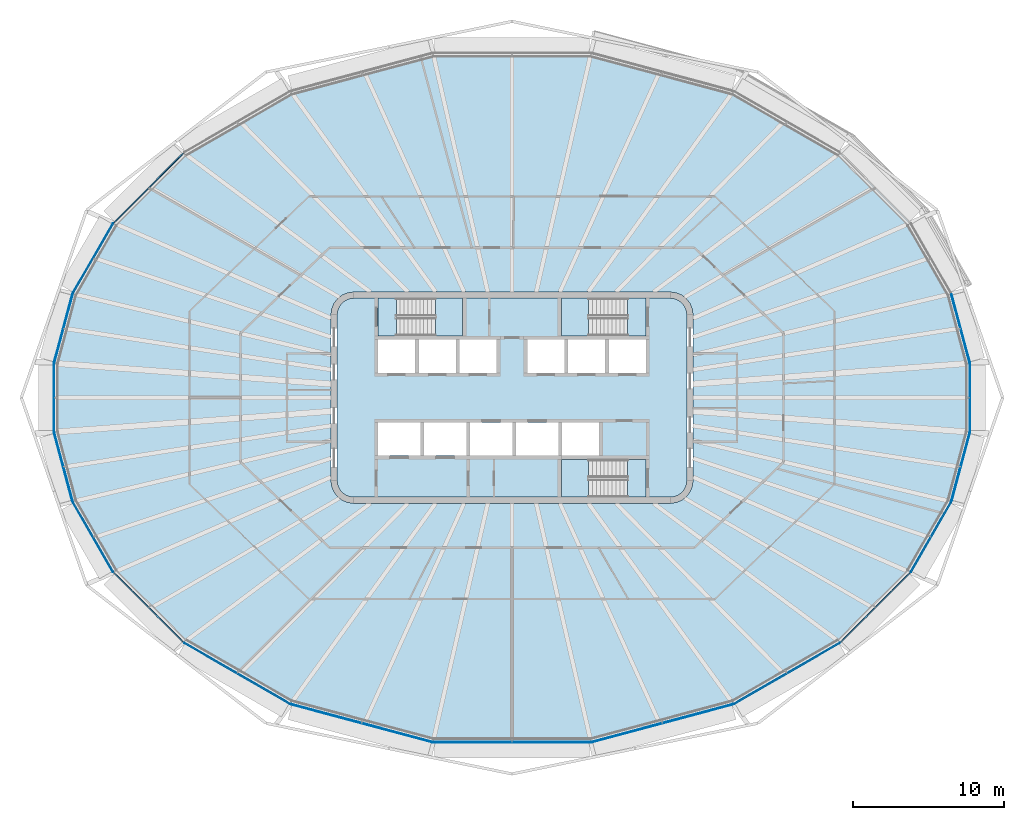
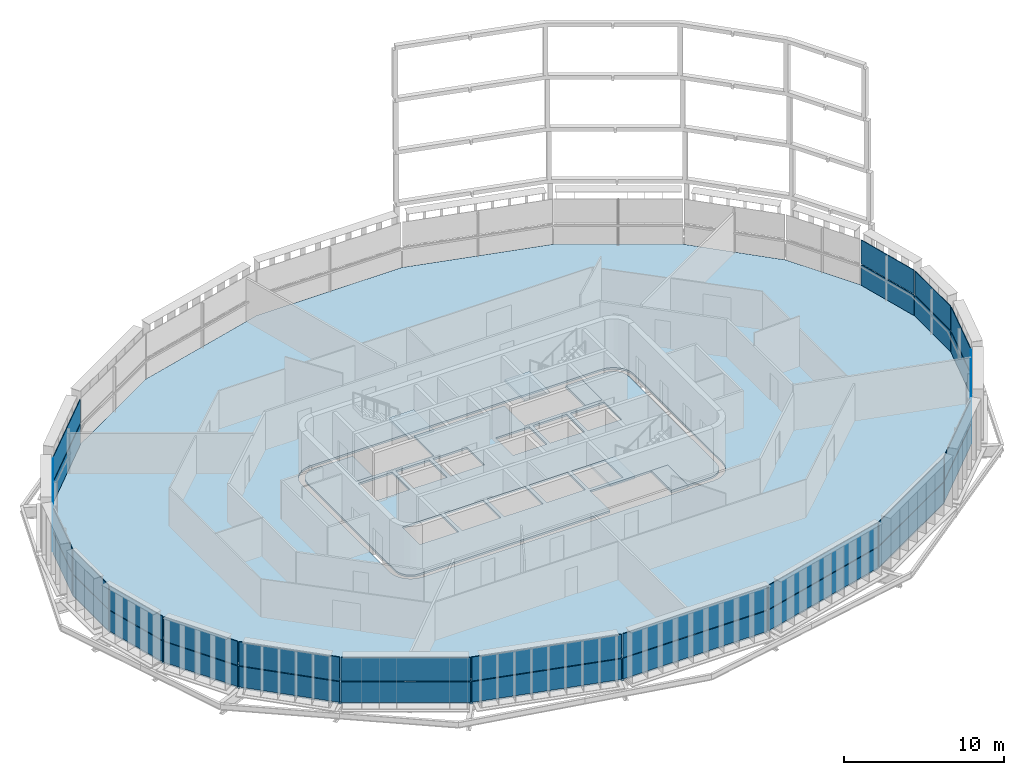
# One storey, part 9 of 20: 34 plates, 8 slabs, 20 elements without a shape of their own.
"""IFC4 building model written with IfcOpenShell, lengths in metres."""

from ifc_helpers import new_model, si_unit, direction, frame, origin, place, context, subcontext, project, spatial, polyline, outline, extrude, material, layer, layer_set, type_object, element, aggregate, save


model = new_model("IFC4")

# Units and contexts
model_context = context("Model", 3, precision=1e-05, world=origin(), true_north=direction((0.0, 1.0)))
body_context = subcontext(model_context, "Body", "Model", "MODEL_VIEW")
ifc_project = project(units=[si_unit("LENGTHUNIT", "METRE"), si_unit("AREAUNIT", "SQUARE_METRE"), si_unit("VOLUMEUNIT", "CUBIC_METRE"), si_unit("PLANEANGLEUNIT", "RADIAN"), si_unit("MASSUNIT", "GRAM", prefix="KILO")], contexts=[model_context])

# Site, building, storey
site_placement = place(None, origin())
site = spatial("IfcSite", under=ifc_project, at=site_placement, CompositionType="ELEMENT")
building_placement = place(site_placement, origin())
building = spatial("IfcBuilding", under=site, at=building_placement, Name="Sahrelin Media Tower", CompositionType="ELEMENT")
storey_placement = place(building_placement, frame((0.0, 0.0, 255.0)))
storey = spatial("IfcBuildingStorey", under=building, at=storey_placement, Name="L55", CompositionType="ELEMENT", Elevation=255.0)

# Slabs
ifc_material_1 = material(Name="Concrete C40/50", Category="concrete")
ifc_layer_1 = layer(ifc_material_1, 0.14990234375)
ifc_layer_set_1 = layer_set([ifc_layer_1], Name="Composite floor slab 150")
slab_type_1 = type_object("IfcSlabType", Name="Composite floor slab 150", PredefinedType="FLOOR", material=ifc_layer_set_1)
placement_1 = place(storey_placement, frame((0.0, 0.0, -0.14990234375)))
element("IfcSlab", 1, at=placement_1, inside=storey, type_object=slab_type_1, Name="Floor slab L55", PredefinedType="FLOOR", context=body_context, shape_type="SweptSolid", body=[
    extrude(outline(polyline([(30.35693359375, -2.280517578125), (30.35693359375, 2.280517578125), (29.122802734375, 6.886474609375), (26.41259765625, 11.58056640625), (21.763916015625, 16.22900390625), (14.6845703125, 20.31640625), (5.24267578125, 22.84619140625), (-5.24267578125, 22.84619140625), (-14.6845703125, 20.31640625), (-21.763916015625, 16.22900390625), (-26.41259765625, 11.58056640625), (-29.122802734375, 6.886474609375), (-30.35693359375, 2.280517578125), (-30.35693359375, -2.280517578125), (-29.122802734375, -6.886474609375), (-26.41259765625, -11.58056640625), (-21.763916015625, -16.22900390625), (-14.6845703125, -20.31640625), (-5.24267578125, -22.84619140625), (5.24267578125, -22.84619140625), (14.6845703125, -20.31640625), (21.763916015625, -16.22900390625), (26.41259765625, -11.58056640625), (29.122802734375, -6.886474609375), (30.35693359375, -2.280517578125)]), holes=[polyline([(11.948974609375, 5.88818359375), (12.0, 5.5), (12.0, -5.5), (11.948974609375, -5.88818359375), (11.799072265625, -6.25), (11.560791015625, -6.560791015625), (11.25, -6.799072265625), (10.88818359375, -6.948974609375), (10.5, -7.0), (-10.5, -7.0), (-10.88818359375, -6.948974609375), (-11.25, -6.799072265625), (-11.560791015625, -6.560791015625), (-11.799072265625, -6.25), (-11.948974609375, -5.88818359375), (-12.0, -5.5), (-12.0, 5.5), (-11.948974609375, 5.88818359375), (-11.799072265625, 6.25), (-11.560791015625, 6.560791015625), (-11.25, 6.799072265625), (-10.88818359375, 6.948974609375), (-10.5, 7.0), (10.5, 7.0), (10.88818359375, 6.948974609375), (11.25, 6.799072265625), (11.560791015625, 6.560791015625), (11.799072265625, 6.25), (11.948974609375, 5.88818359375)])]), origin(), (0.0, 0.0, 1.0), 0.14990234375),
])
ifc_layer_2 = layer(ifc_material_1, 0.14990234375)
ifc_layer_set_2 = layer_set([ifc_layer_2], Name="Core floor slab 150")
slab_type_2 = type_object("IfcSlabType", Name="Core floor slab 150", PredefinedType="FLOOR", material=ifc_layer_set_2)
element("IfcSlab", 2, at=placement_1, inside=storey, type_object=slab_type_2, Name="Core floor", PredefinedType="FLOOR", context=body_context, shape_type="SweptSolid", body=[
    extrude(outline(polyline([(-11.60009765625, -5.473876953125), (-11.55908203125, -5.78369140625), (-11.44970703125, -6.04833984375), (-11.275390625, -6.275390625), (-11.04833984375, -6.44970703125), (-10.78369140625, -6.55908203125), (-10.473876953125, -6.60009765625), (3.27490234375, -6.60009765625), (3.27490234375, -4.10009765625), (8.875, -4.10009765625), (8.875, -6.60009765625), (10.473876953125, -6.60009765625), (10.78369140625, -6.55908203125), (11.04833984375, -6.44970703125), (11.275390625, -6.275390625), (11.44970703125, -6.04833984375), (11.55908203125, -5.78369140625), (11.60009765625, -5.473876953125), (11.60009765625, 5.473876953125), (11.55908203125, 5.78369140625), (11.44970703125, 6.04833984375), (11.275390625, 6.275390625), (11.04833984375, 6.44970703125), (10.78369140625, 6.55908203125), (10.473876953125, 6.60009765625), (8.875, 6.60009765625), (8.875, 4.10009765625), (3.27490234375, 4.10009765625), (3.27490234375, 6.60009765625), (-3.27490234375, 6.60009765625), (-3.27490234375, 4.10009765625), (-8.875, 4.10009765625), (-8.875, 6.60009765625), (-10.473876953125, 6.60009765625), (-10.78369140625, 6.55908203125), (-11.04833984375, 6.44970703125), (-11.275390625, 6.275390625), (-11.44970703125, 6.04833984375), (-11.55908203125, 5.78369140625), (-11.60009765625, 5.473876953125), (-11.60009765625, -5.473876953125)]), holes=[polyline([(-8.875, 3.85009765625), (-8.875, 1.64990234375), (-6.425048828125, 1.64990234375), (-6.425048828125, 3.85009765625), (-8.875, 3.85009765625)]), polyline([(-3.72509765625, 3.85009765625), (-6.175048828125, 3.85009765625), (-6.175048828125, 1.64990234375), (-3.72509765625, 1.64990234375), (-3.72509765625, 3.85009765625)]), polyline([(-1.02490234375, 1.64990234375), (-1.02490234375, 3.85009765625), (-3.47509765625, 3.85009765625), (-3.47509765625, 1.64990234375), (-1.02490234375, 1.64990234375)]), polyline([(1.02490234375, 1.64990234375), (3.47509765625, 1.64990234375), (3.47509765625, 3.85009765625), (1.02490234375, 3.85009765625), (1.02490234375, 1.64990234375)]), polyline([(3.72509765625, 3.85009765625), (3.72509765625, 1.64990234375), (6.175048828125, 1.64990234375), (6.175048828125, 3.85009765625), (3.72509765625, 3.85009765625)]), polyline([(8.875, 3.85009765625), (6.425048828125, 3.85009765625), (6.425048828125, 1.64990234375), (8.875, 1.64990234375), (8.875, 3.85009765625)]), polyline([(-6.074951171875, -3.85009765625), (-6.074951171875, -1.64990234375), (-8.875, -1.64990234375), (-8.875, -3.85009765625), (-6.074951171875, -3.85009765625)]), polyline([(-5.824951171875, -3.85009765625), (-3.02490234375, -3.85009765625), (-3.02490234375, -1.64990234375), (-5.824951171875, -1.64990234375), (-5.824951171875, -3.85009765625)]), polyline([(-2.77490234375, -1.64990234375), (-2.77490234375, -3.85009765625), (0.02490234375, -3.85009765625), (0.02490234375, -1.64990234375), (-2.77490234375, -1.64990234375)]), polyline([(3.074951171875, -1.64990234375), (0.27490234375, -1.64990234375), (0.27490234375, -3.85009765625), (3.074951171875, -3.85009765625), (3.074951171875, -1.64990234375)]), polyline([(5.77490234375, -3.85009765625), (5.77490234375, -1.64990234375), (3.324951171875, -1.64990234375), (3.324951171875, -3.85009765625), (5.77490234375, -3.85009765625)])]), origin(), (0.0, 0.0, 1.0), 0.14990234375),
])

# Curtain wall, plate
ifc_material_2 = material(Name="Champagne anodised aluminium 6063-T6", Category="aluminium")
ifc_layer_3 = layer(ifc_material_2, 0.14990234375)
ifc_layer_set_3 = layer_set([ifc_layer_3], Name="Tower ribbon curtain wall")
curtain_wall_type = type_object("IfcCurtainWallType", Name="Tower ribbon curtain wall", PredefinedType="NOTDEFINED", material=ifc_layer_set_3)
curtain_wall_1_placement = place(storey_placement, frame((30.376953125, 0.0, 0.0), z_axis=(0.0, 0.0, 1.0), x_axis=(1.0, 0.0, 0.0)))
curtain_wall_1 = element("IfcCurtainWall", 3, at=curtain_wall_1_placement, inside=storey, type_object=curtain_wall_type, Name="L55:CW:L55-00", PredefinedType="NOTDEFINED")
ifc_material_3 = material(Name="Clear low-iron glazing", Category="glass")
ifc_layer_4 = layer(ifc_material_3, 0.048095703125)
ifc_layer_set_4 = layer_set([ifc_layer_4], Name="Glazing panel 48 mm CW1C")
plate_type_1 = type_object("IfcPlateType", Name="Glazing panel 48 mm CW1C", PredefinedType="CURTAIN_PANEL", material=ifc_layer_set_4)
plate_1_placement = place(storey_placement, frame((30.39697265625, -2.233154296875, 1.6298828125), z_axis=(1.0, 0.0, 0.0), x_axis=(0.0, 1.0, 0.0)))
plate_1 = element("IfcPlate", 4, at=plate_1_placement, type_object=plate_type_1, Name="L55:CWP2:L55-00", PredefinedType="CURTAIN_PANEL", context=body_context, shape_type="SweptSolid", body=[
    extrude(outline(polyline([(0.0, 0.0), (4.46630859375, 0.0), (4.46630859375, 1.818603515625), (0.0, 1.818603515625), (0.0, 0.0)])), origin(), (0.0, 0.0, -1.0), 0.048095703125),
])

curtain_wall_2_placement = place(storey_placement, frame((29.759033203125, 4.588623046875, 0.0), z_axis=(0.0, 0.0, 1.0), x_axis=(1.0, 0.0, 0.0)))
curtain_wall_2 = element("IfcCurtainWall", 5, at=curtain_wall_2_placement, inside=storey, type_object=curtain_wall_type, Name="L55:CW:L55-01", PredefinedType="NOTDEFINED")
plate_2_placement = place(storey_placement, frame((30.38330078125, 2.336669921875, 1.6298828125), z_axis=(0.965921236003, 0.258836175674, 0.0), x_axis=(-0.258836175674, 0.965921236003, 0.0)))
plate_2 = element("IfcPlate", 6, at=plate_2_placement, type_object=plate_type_1, Name="L55:CWP2:L55-01", PredefinedType="CURTAIN_PANEL", context=body_context, shape_type="SweptSolid", body=[
    extrude(outline(polyline([(0.0, 0.0), (4.673583984375, 0.0), (4.673583984375, 1.818603515625), (0.0, 1.818603515625), (0.0, 0.0)])), origin(), (0.0, 0.0, -1.0), 0.048095703125),
])

curtain_wall_3_placement = place(storey_placement, frame((-24.102294921875, 13.9189453125, 0.0), z_axis=(0.0, 0.0, 1.0), x_axis=(1.0, 0.0, 0.0)))
curtain_wall_3 = element("IfcCurtainWall", 7, at=curtain_wall_3_placement, inside=storey, type_object=curtain_wall_type, Name="L55:CW:L55-09", PredefinedType="NOTDEFINED")
plate_3_placement = place(storey_placement, frame((-21.82568359375, 16.223876953125, 1.6298828125), z_axis=(-0.707106781187, 0.707106781187, 0.0), x_axis=(-0.707106781187, -0.707106781187, 0.0)))
plate_3 = element("IfcPlate", 8, at=plate_3_placement, type_object=plate_type_1, Name="L55:CWP2:L55-09", PredefinedType="CURTAIN_PANEL", context=body_context, shape_type="SweptSolid", body=[
    extrude(outline(polyline([(0.0, 0.0), (6.479248046875, 0.0), (6.479248046875, 1.818603515625), (0.0, 1.818603515625), (0.0, 0.0)])), origin(), (0.0, 0.0, -1.0), 0.048095703125),
])

curtain_wall_4_placement = place(storey_placement, frame((-27.784912109375, 9.243408203125, 0.0), z_axis=(0.0, 0.0, 1.0), x_axis=(1.0, 0.0, 0.0)))
curtain_wall_4 = element("IfcCurtainWall", 9, at=curtain_wall_4_placement, inside=storey, type_object=curtain_wall_type, Name="L55:CW:L55-10", PredefinedType="NOTDEFINED")
plate_4_placement = place(storey_placement, frame((-26.470703125, 11.5595703125, 1.6298828125), z_axis=(-0.866019923683, 0.500009491695, 0.0), x_axis=(-0.500009491695, -0.866019923683, 0.0)))
plate_4 = element("IfcPlate", 10, at=plate_4_placement, type_object=plate_type_1, Name="L55:CWP2:L55-10", PredefinedType="CURTAIN_PANEL", context=body_context, shape_type="SweptSolid", body=[
    extrude(outline(polyline([(0.0, 0.0), (5.32568359375, 0.0), (5.32568359375, 1.818603515625), (0.0, 1.818603515625), (0.0, 0.0)])), origin(), (0.0, 0.0, -1.0), 0.048095703125),
])

curtain_wall_5_placement = place(storey_placement, frame((-29.759033203125, 4.588623046875, 0.0), z_axis=(0.0, 0.0, 1.0), x_axis=(1.0, 0.0, 0.0)))
curtain_wall_5 = element("IfcCurtainWall", 11, at=curtain_wall_5_placement, inside=storey, type_object=curtain_wall_type, Name="L55:CW:L55-11", PredefinedType="NOTDEFINED")
plate_5_placement = place(storey_placement, frame((-29.173583984375, 6.85107421875, 1.6298828125), z_axis=(-0.965921236003, 0.258836175674, 0.0), x_axis=(-0.258836175674, -0.965921236003, 0.0)))
plate_5 = element("IfcPlate", 12, at=plate_5_placement, type_object=plate_type_1, Name="L55:CWP2:L55-11", PredefinedType="CURTAIN_PANEL", context=body_context, shape_type="SweptSolid", body=[
    extrude(outline(polyline([(0.0, 0.0), (4.673583984375, 0.0), (4.673583984375, 1.818603515625), (0.0, 1.818603515625), (0.0, 0.0)])), origin(), (0.0, 0.0, -1.0), 0.048095703125),
])

curtain_wall_6_placement = place(storey_placement, frame((-30.376953125, 0.0, 0.0), z_axis=(0.0, 0.0, 1.0), x_axis=(1.0, 0.0, 0.0)))
curtain_wall_6 = element("IfcCurtainWall", 13, at=curtain_wall_6_placement, inside=storey, type_object=curtain_wall_type, Name="L55:CW:L55-12", PredefinedType="NOTDEFINED")
plate_6_placement = place(storey_placement, frame((-30.39697265625, 2.233154296875, 1.6298828125), z_axis=(-1.0, 0.0, 0.0), x_axis=(0.0, -1.0, 0.0)))
plate_6 = element("IfcPlate", 14, at=plate_6_placement, type_object=plate_type_1, Name="L55:CWP2:L55-12", PredefinedType="CURTAIN_PANEL", context=body_context, shape_type="SweptSolid", body=[
    extrude(outline(polyline([(0.0, 0.0), (4.46630859375, 0.0), (4.46630859375, 1.818603515625), (0.0, 1.818603515625), (0.0, 0.0)])), origin(), (0.0, 0.0, -1.0), 0.048095703125),
])

curtain_wall_7_placement = place(storey_placement, frame((-29.759033203125, -4.588623046875, 0.0), z_axis=(0.0, 0.0, 1.0), x_axis=(1.0, 0.0, 0.0)))
curtain_wall_7 = element("IfcCurtainWall", 15, at=curtain_wall_7_placement, inside=storey, type_object=curtain_wall_type, Name="L55:CW:L55-13", PredefinedType="NOTDEFINED")
plate_7_placement = place(storey_placement, frame((-30.38330078125, -2.336669921875, 1.6298828125), z_axis=(-0.965921236003, -0.258836175674, 0.0), x_axis=(0.258836175674, -0.965921236003, 0.0)))
plate_7 = element("IfcPlate", 16, at=plate_7_placement, type_object=plate_type_1, Name="L55:CWP2:L55-13", PredefinedType="CURTAIN_PANEL", context=body_context, shape_type="SweptSolid", body=[
    extrude(outline(polyline([(0.0, 0.0), (4.673583984375, 0.0), (4.673583984375, 1.818603515625), (0.0, 1.818603515625), (0.0, 0.0)])), origin(), (0.0, 0.0, -1.0), 0.048095703125),
])

curtain_wall_8_placement = place(storey_placement, frame((-27.784912109375, -9.243408203125, 0.0), z_axis=(0.0, 0.0, 1.0), x_axis=(1.0, 0.0, 0.0)))
curtain_wall_8 = element("IfcCurtainWall", 17, at=curtain_wall_8_placement, inside=storey, type_object=curtain_wall_type, Name="L55:CW:L55-14", PredefinedType="NOTDEFINED")
plate_8_placement = place(storey_placement, frame((-29.133544921875, -6.947509765625, 1.6298828125), z_axis=(-0.866019923683, -0.500009491695, 0.0), x_axis=(0.500009491695, -0.866019923683, 0.0)))
plate_8 = element("IfcPlate", 18, at=plate_8_placement, type_object=plate_type_1, Name="L55:CWP2:L55-14", PredefinedType="CURTAIN_PANEL", context=body_context, shape_type="SweptSolid", body=[
    extrude(outline(polyline([(0.0, 0.0), (5.32568359375, 0.0), (5.32568359375, 1.818603515625), (0.0, 1.818603515625), (0.0, 0.0)])), origin(), (0.0, 0.0, -1.0), 0.048095703125),
])

curtain_wall_9_placement = place(storey_placement, frame((-24.102294921875, -13.9189453125, 0.0), z_axis=(0.0, 0.0, 1.0), x_axis=(1.0, 0.0, 0.0)))
curtain_wall_9 = element("IfcCurtainWall", 19, at=curtain_wall_9_placement, inside=storey, type_object=curtain_wall_type, Name="L55:CW:L55-15", PredefinedType="NOTDEFINED")
plate_9_placement = place(storey_placement, frame((-26.4072265625, -11.642333984375, 1.6298828125), z_axis=(-0.707106781187, -0.707106781187, 0.0), x_axis=(0.707106781187, -0.707106781187, 0.0)))
plate_9 = element("IfcPlate", 20, at=plate_9_placement, type_object=plate_type_1, Name="L55:CWP2:L55-15", PredefinedType="CURTAIN_PANEL", context=body_context, shape_type="SweptSolid", body=[
    extrude(outline(polyline([(0.0, 0.0), (6.479248046875, 0.0), (6.479248046875, 1.818603515625), (0.0, 1.818603515625), (0.0, 0.0)])), origin(), (0.0, 0.0, -1.0), 0.048095703125),
])

curtain_wall_10_placement = place(storey_placement, frame((-18.234375, -18.2900390625, 0.0), z_axis=(0.0, 0.0, 1.0), x_axis=(1.0, 0.0, 0.0)))
curtain_wall_10 = element("IfcCurtainWall", 21, at=curtain_wall_10_placement, inside=storey, type_object=curtain_wall_type, Name="L55:CW:L55-16", PredefinedType="NOTDEFINED")
plate_10_placement = place(storey_placement, frame((-21.742919921875, -16.287353515625, 1.6298828125), z_axis=(-0.500012779794, -0.866018025241, 0.0), x_axis=(0.866018025241, -0.500012779794, 0.0)))
plate_10 = element("IfcPlate", 22, at=plate_10_placement, type_object=plate_type_1, Name="L55:CWP2:L55-16", PredefinedType="CURTAIN_PANEL", context=body_context, shape_type="SweptSolid", body=[
    extrude(outline(polyline([(0.0, 0.0), (8.079833984375, 0.0), (8.079833984375, 1.818603515625), (0.0, 1.818603515625), (0.0, 0.0)])), origin(), (0.0, 0.0, -1.0), 0.048095703125),
])

curtain_wall_11_placement = place(storey_placement, frame((-9.96875, -21.6005859375, 0.0), z_axis=(0.0, 0.0, 1.0), x_axis=(1.0, 0.0, 0.0)))
curtain_wall_11 = element("IfcCurtainWall", 23, at=curtain_wall_11_placement, inside=storey, type_object=curtain_wall_type, Name="L55:CW:L55-17", PredefinedType="NOTDEFINED")
plate_11_placement = place(storey_placement, frame((-14.649169921875, -20.3671875, 1.6298828125), z_axis=(-0.258831891079, -0.965922384129, 0.0), x_axis=(0.965922384129, -0.258831891079, 0.0)))
plate_11 = element("IfcPlate", 24, at=plate_11_placement, type_object=plate_type_1, Name="L55:CWP2:L55-17", PredefinedType="CURTAIN_PANEL", context=body_context, shape_type="SweptSolid", body=[
    extrude(outline(polyline([(0.0, 0.0), (9.680419921875, 0.0), (9.680419921875, 1.818603515625), (0.0, 1.818603515625), (0.0, 0.0)])), origin(), (0.0, 0.0, -1.0), 0.048095703125),
])

curtain_wall_12_placement = place(storey_placement, frame((0.0, -22.8662109375, 0.0), z_axis=(0.0, 0.0, 1.0), x_axis=(1.0, 0.0, 0.0)))
curtain_wall_12 = element("IfcCurtainWall", 25, at=curtain_wall_12_placement, inside=storey, type_object=curtain_wall_type, Name="L55:CW:L55-18", PredefinedType="NOTDEFINED")
plate_12_placement = place(storey_placement, frame((-5.1953125, -22.88623046875, 1.6298828125), z_axis=(0.0, -1.0, 0.0), x_axis=(1.0, 0.0, 0.0)))
plate_12 = element("IfcPlate", 26, at=plate_12_placement, type_object=plate_type_1, Name="L55:CWP2:L55-18", PredefinedType="CURTAIN_PANEL", context=body_context, shape_type="SweptSolid", body=[
    extrude(outline(polyline([(0.0, 0.0), (10.390625, 0.0), (10.390625, 1.818603515625), (0.0, 1.818603515625), (0.0, 0.0)])), origin(), (0.0, 0.0, -1.0), 0.048095703125),
])

curtain_wall_13_placement = place(storey_placement, frame((9.96875, -21.6005859375, 0.0), z_axis=(0.0, 0.0, 1.0), x_axis=(1.0, 0.0, 0.0)))
curtain_wall_13 = element("IfcCurtainWall", 27, at=curtain_wall_13_placement, inside=storey, type_object=curtain_wall_type, Name="L55:CW:L55-19", PredefinedType="NOTDEFINED")
plate_13_placement = place(storey_placement, frame((5.298583984375, -22.872802734375, 1.6298828125), z_axis=(0.258831891079, -0.965922384129, 0.0), x_axis=(0.965922384129, 0.258831891079, 0.0)))
plate_13 = element("IfcPlate", 28, at=plate_13_placement, type_object=plate_type_1, Name="L55:CWP2:L55-19", PredefinedType="CURTAIN_PANEL", context=body_context, shape_type="SweptSolid", body=[
    extrude(outline(polyline([(0.0, 0.0), (9.680419921875, 0.0), (9.680419921875, 1.818603515625), (0.0, 1.818603515625), (0.0, 0.0)])), origin(), (0.0, 0.0, -1.0), 0.048095703125),
])

curtain_wall_14_placement = place(storey_placement, frame((18.234375, -18.2900390625, 0.0), z_axis=(0.0, 0.0, 1.0), x_axis=(1.0, 0.0, 0.0)))
curtain_wall_14 = element("IfcCurtainWall", 29, at=curtain_wall_14_placement, inside=storey, type_object=curtain_wall_type, Name="L55:CW:L55-20", PredefinedType="NOTDEFINED")
plate_14_placement = place(storey_placement, frame((14.74560546875, -20.327392578125, 1.6298828125), z_axis=(0.500012779794, -0.866018025241, 0.0), x_axis=(0.866018025241, 0.500012779794, 0.0)))
plate_14 = element("IfcPlate", 30, at=plate_14_placement, type_object=plate_type_1, Name="L55:CWP2:L55-20", PredefinedType="CURTAIN_PANEL", context=body_context, shape_type="SweptSolid", body=[
    extrude(outline(polyline([(0.0, 0.0), (8.079833984375, 0.0), (8.079833984375, 1.818603515625), (0.0, 1.818603515625), (0.0, 0.0)])), origin(), (0.0, 0.0, -1.0), 0.048095703125),
])

curtain_wall_15_placement = place(storey_placement, frame((24.102294921875, -13.9189453125, 0.0), z_axis=(0.0, 0.0, 1.0), x_axis=(1.0, 0.0, 0.0)))
curtain_wall_15 = element("IfcCurtainWall", 31, at=curtain_wall_15_placement, inside=storey, type_object=curtain_wall_type, Name="L55:CW:L55-21", PredefinedType="NOTDEFINED")
plate_15_placement = place(storey_placement, frame((21.82568359375, -16.223876953125, 1.6298828125), z_axis=(0.707106781187, -0.707106781187, 0.0), x_axis=(0.707106781187, 0.707106781187, 0.0)))
plate_15 = element("IfcPlate", 32, at=plate_15_placement, type_object=plate_type_1, Name="L55:CWP2:L55-21", PredefinedType="CURTAIN_PANEL", context=body_context, shape_type="SweptSolid", body=[
    extrude(outline(polyline([(0.0, 0.0), (6.479248046875, 0.0), (6.479248046875, 1.818603515625), (0.0, 1.818603515625), (0.0, 0.0)])), origin(), (0.0, 0.0, -1.0), 0.048095703125),
])

curtain_wall_16_placement = place(storey_placement, frame((27.784912109375, -9.243408203125, 0.0), z_axis=(0.0, 0.0, 1.0), x_axis=(1.0, 0.0, 0.0)))
curtain_wall_16 = element("IfcCurtainWall", 33, at=curtain_wall_16_placement, inside=storey, type_object=curtain_wall_type, Name="L55:CW:L55-22", PredefinedType="NOTDEFINED")
plate_16_placement = place(storey_placement, frame((26.470703125, -11.5595703125, 1.6298828125), z_axis=(0.866019923683, -0.500009491695, 0.0), x_axis=(0.500009491695, 0.866019923683, 0.0)))
plate_16 = element("IfcPlate", 34, at=plate_16_placement, type_object=plate_type_1, Name="L55:CWP2:L55-22", PredefinedType="CURTAIN_PANEL", context=body_context, shape_type="SweptSolid", body=[
    extrude(outline(polyline([(0.0, 0.0), (5.32568359375, 0.0), (5.32568359375, 1.818603515625), (0.0, 1.818603515625), (0.0, 0.0)])), origin(), (0.0, 0.0, -1.0), 0.048095703125),
])

curtain_wall_17_placement = place(storey_placement, frame((29.759033203125, -4.588623046875, 0.0), z_axis=(0.0, 0.0, 1.0), x_axis=(1.0, 0.0, 0.0)))
curtain_wall_17 = element("IfcCurtainWall", 35, at=curtain_wall_17_placement, inside=storey, type_object=curtain_wall_type, Name="L55:CW:L55-23", PredefinedType="NOTDEFINED")
plate_17_placement = place(storey_placement, frame((29.173583984375, -6.85107421875, 1.6298828125), z_axis=(0.965921236003, -0.258836175674, 0.0), x_axis=(0.258836175674, 0.965921236003, 0.0)))
plate_17 = element("IfcPlate", 36, at=plate_17_placement, type_object=plate_type_1, Name="L55:CWP2:L55-23", PredefinedType="CURTAIN_PANEL", context=body_context, shape_type="SweptSolid", body=[
    extrude(outline(polyline([(0.0, 0.0), (4.673583984375, 0.0), (4.673583984375, 1.818603515625), (0.0, 1.818603515625), (0.0, 0.0)])), origin(), (0.0, 0.0, -1.0), 0.048095703125),
])

# Plate
ifc_material_4 = material(Name="Insulated spandrel panel")
ifc_layer_5 = layer(ifc_material_4, 0.06005859375)
ifc_layer_set_5 = layer_set([ifc_layer_5], Name="Spandrel panel 60 mm CW1")
plate_type_2 = type_object("IfcPlateType", Name="Spandrel panel 60 mm CW1", PredefinedType="SHEET", material=ifc_layer_set_5)
plate_18_placement = place(storey_placement, frame((30.39697265625, -2.233154296875, 0.0), z_axis=(1.0, 0.0, 0.0), x_axis=(0.0, 1.0, 0.0)))
plate_18 = element("IfcPlate", 37, at=plate_18_placement, type_object=plate_type_2, Name="L55:CWP1:L55-00", PredefinedType="SHEET", context=body_context, shape_type="SweptSolid", body=[
    extrude(outline(polyline([(0.0, 0.0), (4.46630859375, 0.0), (4.46630859375, 1.570068359375), (0.0, 1.570068359375), (0.0, 0.0)])), origin(), (0.0, 0.0, -1.0), 0.06005859375),
])

aggregate(curtain_wall_1, [plate_18, plate_1])

plate_19_placement = place(storey_placement, frame((30.38330078125, 2.336669921875, 0.0), z_axis=(0.965921236003, 0.258836175674, 0.0), x_axis=(-0.258836175674, 0.965921236003, 0.0)))
plate_19 = element("IfcPlate", 38, at=plate_19_placement, type_object=plate_type_2, Name="L55:CWP1:L55-01", PredefinedType="SHEET", context=body_context, shape_type="SweptSolid", body=[
    extrude(outline(polyline([(0.0, 0.0), (4.673583984375, 0.0), (4.673583984375, 1.570068359375), (0.0, 1.570068359375), (0.0, 0.0)])), origin(), (0.0, 0.0, -1.0), 0.06005859375),
])

aggregate(curtain_wall_2, [plate_19, plate_2])

plate_20_placement = place(storey_placement, frame((-21.82568359375, 16.223876953125, 0.0), z_axis=(-0.707106781187, 0.707106781187, 0.0), x_axis=(-0.707106781187, -0.707106781187, 0.0)))
plate_20 = element("IfcPlate", 39, at=plate_20_placement, type_object=plate_type_2, Name="L55:CWP1:L55-09", PredefinedType="SHEET", context=body_context, shape_type="SweptSolid", body=[
    extrude(outline(polyline([(0.0, 0.0), (6.479248046875, 0.0), (6.479248046875, 1.570068359375), (0.0, 1.570068359375), (0.0, 0.0)])), origin(), (0.0, 0.0, -1.0), 0.06005859375),
])

aggregate(curtain_wall_3, [plate_20, plate_3])

plate_21_placement = place(storey_placement, frame((-26.470703125, 11.5595703125, 0.0), z_axis=(-0.866019923683, 0.500009491695, 0.0), x_axis=(-0.500009491695, -0.866019923683, 0.0)))
plate_21 = element("IfcPlate", 40, at=plate_21_placement, type_object=plate_type_2, Name="L55:CWP1:L55-10", PredefinedType="SHEET", context=body_context, shape_type="SweptSolid", body=[
    extrude(outline(polyline([(0.0, 0.0), (5.32568359375, 0.0), (5.32568359375, 1.570068359375), (0.0, 1.570068359375), (0.0, 0.0)])), origin(), (0.0, 0.0, -1.0), 0.06005859375),
])

aggregate(curtain_wall_4, [plate_21, plate_4])

plate_22_placement = place(storey_placement, frame((-29.173583984375, 6.85107421875, 0.0), z_axis=(-0.965921236003, 0.258836175674, 0.0), x_axis=(-0.258836175674, -0.965921236003, 0.0)))
plate_22 = element("IfcPlate", 41, at=plate_22_placement, type_object=plate_type_2, Name="L55:CWP1:L55-11", PredefinedType="SHEET", context=body_context, shape_type="SweptSolid", body=[
    extrude(outline(polyline([(0.0, 0.0), (4.673583984375, 0.0), (4.673583984375, 1.570068359375), (0.0, 1.570068359375), (0.0, 0.0)])), origin(), (0.0, 0.0, -1.0), 0.06005859375),
])

aggregate(curtain_wall_5, [plate_22, plate_5])

plate_23_placement = place(storey_placement, frame((-30.39697265625, 2.233154296875, 0.0), z_axis=(-1.0, 0.0, 0.0), x_axis=(0.0, -1.0, 0.0)))
plate_23 = element("IfcPlate", 42, at=plate_23_placement, type_object=plate_type_2, Name="L55:CWP1:L55-12", PredefinedType="SHEET", context=body_context, shape_type="SweptSolid", body=[
    extrude(outline(polyline([(0.0, 0.0), (4.46630859375, 0.0), (4.46630859375, 1.570068359375), (0.0, 1.570068359375), (0.0, 0.0)])), origin(), (0.0, 0.0, -1.0), 0.06005859375),
])

aggregate(curtain_wall_6, [plate_23, plate_6])

plate_24_placement = place(storey_placement, frame((-30.38330078125, -2.336669921875, 0.0), z_axis=(-0.965921236003, -0.258836175674, 0.0), x_axis=(0.258836175674, -0.965921236003, 0.0)))
plate_24 = element("IfcPlate", 43, at=plate_24_placement, type_object=plate_type_2, Name="L55:CWP1:L55-13", PredefinedType="SHEET", context=body_context, shape_type="SweptSolid", body=[
    extrude(outline(polyline([(0.0, 0.0), (4.673583984375, 0.0), (4.673583984375, 1.570068359375), (0.0, 1.570068359375), (0.0, 0.0)])), origin(), (0.0, 0.0, -1.0), 0.06005859375),
])

aggregate(curtain_wall_7, [plate_24, plate_7])

plate_25_placement = place(storey_placement, frame((-29.133544921875, -6.947509765625, 0.0), z_axis=(-0.866019923683, -0.500009491695, 0.0), x_axis=(0.500009491695, -0.866019923683, 0.0)))
plate_25 = element("IfcPlate", 44, at=plate_25_placement, type_object=plate_type_2, Name="L55:CWP1:L55-14", PredefinedType="SHEET", context=body_context, shape_type="SweptSolid", body=[
    extrude(outline(polyline([(0.0, 0.0), (5.32568359375, 0.0), (5.32568359375, 1.570068359375), (0.0, 1.570068359375), (0.0, 0.0)])), origin(), (0.0, 0.0, -1.0), 0.06005859375),
])

aggregate(curtain_wall_8, [plate_25, plate_8])

plate_26_placement = place(storey_placement, frame((-26.4072265625, -11.642333984375, 0.0), z_axis=(-0.707106781187, -0.707106781187, 0.0), x_axis=(0.707106781187, -0.707106781187, 0.0)))
plate_26 = element("IfcPlate", 45, at=plate_26_placement, type_object=plate_type_2, Name="L55:CWP1:L55-15", PredefinedType="SHEET", context=body_context, shape_type="SweptSolid", body=[
    extrude(outline(polyline([(0.0, 0.0), (6.479248046875, 0.0), (6.479248046875, 1.570068359375), (0.0, 1.570068359375), (0.0, 0.0)])), origin(), (0.0, 0.0, -1.0), 0.06005859375),
])

aggregate(curtain_wall_9, [plate_26, plate_9])

plate_27_placement = place(storey_placement, frame((-21.742919921875, -16.287353515625, 0.0), z_axis=(-0.500012779794, -0.866018025241, 0.0), x_axis=(0.866018025241, -0.500012779794, 0.0)))
plate_27 = element("IfcPlate", 46, at=plate_27_placement, type_object=plate_type_2, Name="L55:CWP1:L55-16", PredefinedType="SHEET", context=body_context, shape_type="SweptSolid", body=[
    extrude(outline(polyline([(0.0, 0.0), (8.079833984375, 0.0), (8.079833984375, 1.570068359375), (0.0, 1.570068359375), (0.0, 0.0)])), origin(), (0.0, 0.0, -1.0), 0.06005859375),
])

aggregate(curtain_wall_10, [plate_27, plate_10])

plate_28_placement = place(storey_placement, frame((-14.649169921875, -20.3671875, 0.0), z_axis=(-0.258831891079, -0.965922384129, 0.0), x_axis=(0.965922384129, -0.258831891079, 0.0)))
plate_28 = element("IfcPlate", 47, at=plate_28_placement, type_object=plate_type_2, Name="L55:CWP1:L55-17", PredefinedType="SHEET", context=body_context, shape_type="SweptSolid", body=[
    extrude(outline(polyline([(0.0, 0.0), (9.680419921875, 0.0), (9.680419921875, 1.570068359375), (0.0, 1.570068359375), (0.0, 0.0)])), origin(), (0.0, 0.0, -1.0), 0.06005859375),
])

aggregate(curtain_wall_11, [plate_28, plate_11])

plate_29_placement = place(storey_placement, frame((-5.1953125, -22.88623046875, 0.0), z_axis=(0.0, -1.0, 0.0), x_axis=(1.0, 0.0, 0.0)))
plate_29 = element("IfcPlate", 48, at=plate_29_placement, type_object=plate_type_2, Name="L55:CWP1:L55-18", PredefinedType="SHEET", context=body_context, shape_type="SweptSolid", body=[
    extrude(outline(polyline([(0.0, 0.0), (10.390625, 0.0), (10.390625, 1.570068359375), (0.0, 1.570068359375), (0.0, 0.0)])), origin(), (0.0, 0.0, -1.0), 0.06005859375),
])

aggregate(curtain_wall_12, [plate_29, plate_12])

plate_30_placement = place(storey_placement, frame((5.298583984375, -22.872802734375, 0.0), z_axis=(0.258831891079, -0.965922384129, 0.0), x_axis=(0.965922384129, 0.258831891079, 0.0)))
plate_30 = element("IfcPlate", 49, at=plate_30_placement, type_object=plate_type_2, Name="L55:CWP1:L55-19", PredefinedType="SHEET", context=body_context, shape_type="SweptSolid", body=[
    extrude(outline(polyline([(0.0, 0.0), (9.680419921875, 0.0), (9.680419921875, 1.570068359375), (0.0, 1.570068359375), (0.0, 0.0)])), origin(), (0.0, 0.0, -1.0), 0.06005859375),
])

aggregate(curtain_wall_13, [plate_30, plate_13])

plate_31_placement = place(storey_placement, frame((14.74560546875, -20.327392578125, 0.0), z_axis=(0.500012779794, -0.866018025241, 0.0), x_axis=(0.866018025241, 0.500012779794, 0.0)))
plate_31 = element("IfcPlate", 50, at=plate_31_placement, type_object=plate_type_2, Name="L55:CWP1:L55-20", PredefinedType="SHEET", context=body_context, shape_type="SweptSolid", body=[
    extrude(outline(polyline([(0.0, 0.0), (8.079833984375, 0.0), (8.079833984375, 1.570068359375), (0.0, 1.570068359375), (0.0, 0.0)])), origin(), (0.0, 0.0, -1.0), 0.06005859375),
])

aggregate(curtain_wall_14, [plate_31, plate_14])

plate_32_placement = place(storey_placement, frame((21.82568359375, -16.223876953125, 0.0), z_axis=(0.707106781187, -0.707106781187, 0.0), x_axis=(0.707106781187, 0.707106781187, 0.0)))
plate_32 = element("IfcPlate", 51, at=plate_32_placement, type_object=plate_type_2, Name="L55:CWP1:L55-21", PredefinedType="SHEET", context=body_context, shape_type="SweptSolid", body=[
    extrude(outline(polyline([(0.0, 0.0), (6.479248046875, 0.0), (6.479248046875, 1.570068359375), (0.0, 1.570068359375), (0.0, 0.0)])), origin(), (0.0, 0.0, -1.0), 0.06005859375),
])

aggregate(curtain_wall_15, [plate_32, plate_15])

plate_33_placement = place(storey_placement, frame((26.470703125, -11.5595703125, 0.0), z_axis=(0.866019923683, -0.500009491695, 0.0), x_axis=(0.500009491695, 0.866019923683, 0.0)))
plate_33 = element("IfcPlate", 52, at=plate_33_placement, type_object=plate_type_2, Name="L55:CWP1:L55-22", PredefinedType="SHEET", context=body_context, shape_type="SweptSolid", body=[
    extrude(outline(polyline([(0.0, 0.0), (5.32568359375, 0.0), (5.32568359375, 1.570068359375), (0.0, 1.570068359375), (0.0, 0.0)])), origin(), (0.0, 0.0, -1.0), 0.06005859375),
])

aggregate(curtain_wall_16, [plate_33, plate_16])

plate_34_placement = place(storey_placement, frame((29.173583984375, -6.85107421875, 0.0), z_axis=(0.965921236003, -0.258836175674, 0.0), x_axis=(0.258836175674, 0.965921236003, 0.0)))
plate_34 = element("IfcPlate", 53, at=plate_34_placement, type_object=plate_type_2, Name="L55:CWP1:L55-23", PredefinedType="SHEET", context=body_context, shape_type="SweptSolid", body=[
    extrude(outline(polyline([(0.0, 0.0), (4.673583984375, 0.0), (4.673583984375, 1.570068359375), (0.0, 1.570068359375), (0.0, 0.0)])), origin(), (0.0, 0.0, -1.0), 0.06005859375),
])

aggregate(curtain_wall_17, [plate_34, plate_17])

# Stair, slabs
stair_type = type_object("IfcStairType", Name="Exit stair 1200", PredefinedType="HALF_TURN_STAIR", material=ifc_material_1)
placement_2 = place(storey_placement, origin())
stair_1 = element("IfcStair", 54, at=placement_2, inside=storey, type_object=stair_type, Name="L55 Exit stair ST1", PredefinedType="HALF_TURN_STAIR")
ifc_layer_6 = layer(ifc_material_1, 0.199951171875)
ifc_layer_set_6 = layer_set([ifc_layer_6], Name="Stair landing 200")
slab_type_3 = type_object("IfcSlabType", Name="Stair landing 200", PredefinedType="LANDING", material=ifc_layer_set_6)
placement_3 = place(storey_placement, frame((0.0, 0.0, 1.800048828125)))
slab_3 = element("IfcSlab", 55, at=placement_3, type_object=slab_type_3, Name="ST1 landing 1", PredefinedType="LANDING", context=body_context, shape_type="SweptSolid", body=[
    extrude(outline(polyline([(-5.074951171875, 4.10009765625), (-3.27490234375, 4.10009765625), (-3.27490234375, 6.60009765625), (-5.074951171875, 6.60009765625), (-5.074951171875, 4.10009765625)])), origin(), (0.0, 0.0, 1.0), 0.199951171875),
])
placement_4 = place(storey_placement, frame((0.0, 0.0, -0.199951171875)))
slab_4 = element("IfcSlab", 56, at=placement_4, type_object=slab_type_3, Name="ST1 landing 2", PredefinedType="LANDING", context=body_context, shape_type="SweptSolid", body=[
    extrude(outline(polyline([(-8.875, 4.10009765625), (-7.675048828125, 4.10009765625), (-7.675048828125, 6.60009765625), (-8.875, 6.60009765625), (-8.875, 4.10009765625)])), origin(), (0.0, 0.0, 1.0), 0.199951171875),
])
aggregate(stair_1, [slab_3, slab_4])

stair_2 = element("IfcStair", 57, at=placement_2, inside=storey, type_object=stair_type, Name="L55 Exit stair ST3", PredefinedType="HALF_TURN_STAIR")
slab_5 = element("IfcSlab", 58, at=placement_3, type_object=slab_type_3, Name="ST3 landing 1", PredefinedType="LANDING", context=body_context, shape_type="SweptSolid", body=[
    extrude(outline(polyline([(5.074951171875, 6.60009765625), (3.27490234375, 6.60009765625), (3.27490234375, 4.10009765625), (5.074951171875, 4.10009765625), (5.074951171875, 6.60009765625)])), origin(), (0.0, 0.0, 1.0), 0.199951171875),
])
slab_6 = element("IfcSlab", 59, at=placement_4, type_object=slab_type_3, Name="ST3 landing 2", PredefinedType="LANDING", context=body_context, shape_type="SweptSolid", body=[
    extrude(outline(polyline([(8.875, 6.60009765625), (7.675048828125, 6.60009765625), (7.675048828125, 4.10009765625), (8.875, 4.10009765625), (8.875, 6.60009765625)])), origin(), (0.0, 0.0, 1.0), 0.199951171875),
])
aggregate(stair_2, [slab_5, slab_6])

stair_3 = element("IfcStair", 60, at=placement_2, inside=storey, type_object=stair_type, Name="L55 Exit stair ST2", PredefinedType="HALF_TURN_STAIR")
slab_7 = element("IfcSlab", 61, at=placement_3, type_object=slab_type_3, Name="ST2 landing 1", PredefinedType="LANDING", context=body_context, shape_type="SweptSolid", body=[
    extrude(outline(polyline([(5.074951171875, -4.10009765625), (3.27490234375, -4.10009765625), (3.27490234375, -6.60009765625), (5.074951171875, -6.60009765625), (5.074951171875, -4.10009765625)])), origin(), (0.0, 0.0, 1.0), 0.199951171875),
])
slab_8 = element("IfcSlab", 62, at=placement_4, type_object=slab_type_3, Name="ST2 landing 2", PredefinedType="LANDING", context=body_context, shape_type="SweptSolid", body=[
    extrude(outline(polyline([(8.875, -4.10009765625), (7.675048828125, -4.10009765625), (7.675048828125, -6.60009765625), (8.875, -6.60009765625), (8.875, -4.10009765625)])), origin(), (0.0, 0.0, 1.0), 0.199951171875),
])
aggregate(stair_3, [slab_7, slab_8])

save(model, "model.ifc")
